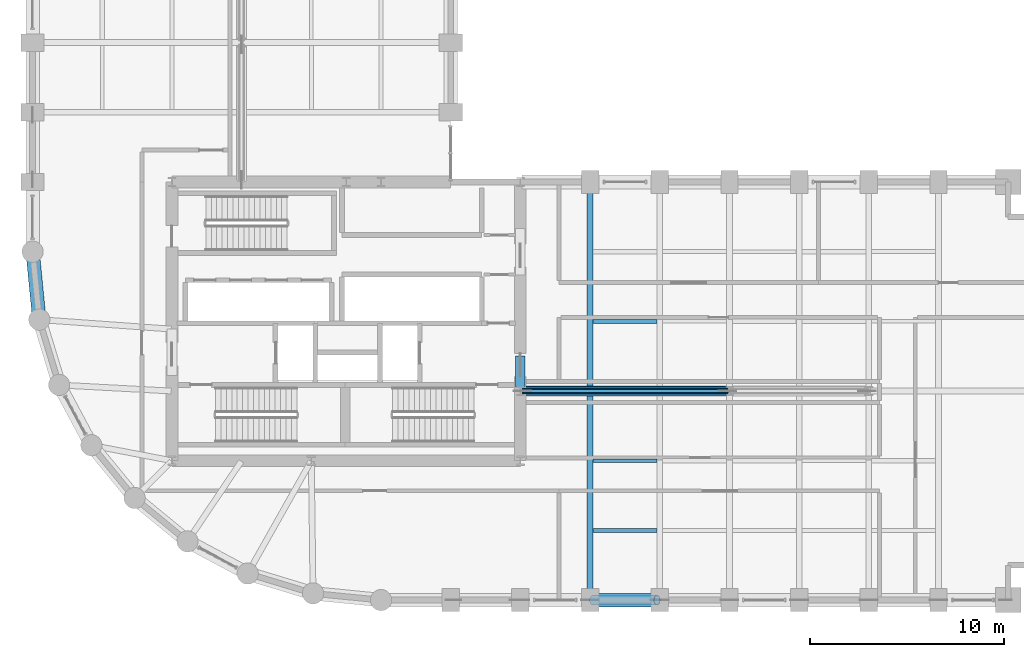
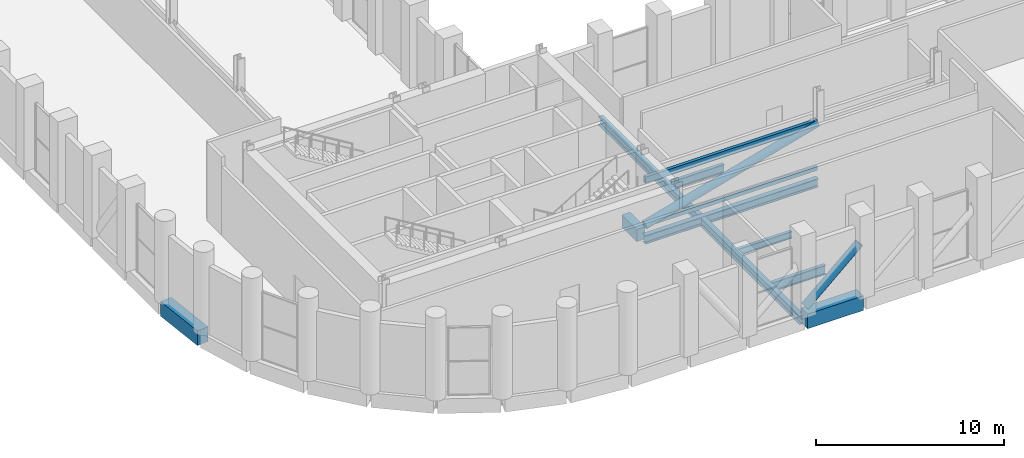
# One storey, part 5 of 27: 8 beams, 4 members.
"""IFC4 building model written with IfcOpenShell, lengths in metres."""

from ifc_helpers import new_model, si_unit, direction, frame, origin, origin_2d, place, context, subcontext, project, spatial, rectangle, hollow_rectangle, hollow_circle, i_section, extrude, material, material_profile, profile_set, type_object, element, save


model = new_model("IFC4")

# Units and contexts
model_context = context("Model", 3, precision=1e-05, world=origin(), true_north=direction((0.0, 1.0)))
body_context = subcontext(model_context, "Body", "Model", "MODEL_VIEW")
ifc_project = project(units=[si_unit("LENGTHUNIT", "METRE"), si_unit("AREAUNIT", "SQUARE_METRE"), si_unit("VOLUMEUNIT", "CUBIC_METRE"), si_unit("PLANEANGLEUNIT", "RADIAN"), si_unit("MASSUNIT", "GRAM", prefix="KILO")], contexts=[model_context])

# Site, building, storey
site_placement = place(None, origin())
site = spatial("IfcSite", under=ifc_project, at=site_placement, CompositionType="ELEMENT")
building_placement = place(site_placement, origin())
building = spatial("IfcBuilding", under=site, at=building_placement, Name="Solnavia Interchange Tower", CompositionType="ELEMENT")
storey_placement = place(building_placement, frame((0.0, 0.0, 74.699951171875)))
storey = spatial("IfcBuildingStorey", under=building, at=storey_placement, Name="L18", CompositionType="ELEMENT", Elevation=74.699951171875)

# Beams
ifc_material_1 = material(Name="Concrete C50/60", Category="concrete")
ifc_material_profile_1 = material_profile(ifc_material_1, rectangle(XDim=0.5, YDim=0.800048828125, at=origin_2d()), Name="RC 500x800")
ifc_profile_set_1 = profile_set([ifc_material_profile_1], Name="Concrete C50/60")
beam_type_1 = type_object("IfcBeamType", Name="Beam-Coupling-RC500x800", PredefinedType="LINTEL", material=ifc_profile_set_1)
beam_1_placement = place(storey_placement, frame((32.39990234375, 14.60009765625, -0.39990234375), z_axis=(0.0, 1.0, 0.0), x_axis=(-1.0, 0.0, 0.0)))
element("IfcBeam", 1, at=beam_1_placement, inside=storey, type_object=beam_type_1, Name="CPB-L18-E1 Core coupling lintel beam", PredefinedType="LINTEL", context=body_context, shape_type="SweptSolid", body=[
    extrude(rectangle(XDim=0.5, YDim=0.800048828125, at=origin_2d()), origin(), (0.0, 0.0, 1.0), 1.599853515625),
])
ifc_material_2 = material(Name="Steel S460", Category="steel")
ifc_material_profile_2 = material_profile(ifc_material_2, i_section(OverallWidth=0.300048828125, OverallDepth=0.550048828125, WebThickness=0.014892578125, FlangeThickness=0.029052734375, FilletRadius=0.027099609375, at=origin_2d()), Name="HEB 550")
ifc_profile_set_2 = profile_set([ifc_material_profile_2], Name="Steel S460")
beam_type_2 = type_object("IfcBeamType", Name="Beam-Girder-HEB550", PredefinedType="BEAM", material=ifc_profile_set_2)
beam_2_placement = place(storey_placement, frame((32.47998046875, 14.39990234375, -0.594970703125), z_axis=(1.0, 0.0, 0.0), x_axis=(0.0, 1.0, 0.0)))
element("IfcBeam", 2, at=beam_2_placement, inside=storey, type_object=beam_type_2, Name="GRD-L18-ES01 East wing spine girder", PredefinedType="BEAM", context=body_context, shape_type="SweptSolid", body=[
    extrude(i_section(OverallWidth=0.300048828125, OverallDepth=0.550048828125, WebThickness=0.014892578125, FlangeThickness=0.029052734375, FilletRadius=0.027099609375, at=origin_2d()), origin(), (0.0, 0.0, 1.0), 10.64013671875),
])
beam_3_placement = place(storey_placement, frame((36.0, 3.679931640625, -0.594970703125), z_axis=(0.0, 1.0, 0.0), x_axis=(-1.0, 0.0, 0.0)))
element("IfcBeam", 3, at=beam_3_placement, inside=storey, type_object=beam_type_2, Name="GRD-L18-EW04 East wing primary floor girder", PredefinedType="BEAM", context=body_context, shape_type="SweptSolid", body=[
    extrude(i_section(OverallWidth=0.300048828125, OverallDepth=0.550048828125, WebThickness=0.014892578125, FlangeThickness=0.029052734375, FilletRadius=0.027099609375, at=origin_2d()), origin(), (0.0, 0.0, 1.0), 21.440185546875),
])
ifc_material_3 = material(Name="Steel S355", Category="steel")
ifc_material_profile_3 = material_profile(ifc_material_3, i_section(OverallWidth=0.18994140625, OverallDepth=0.449951171875, WebThickness=0.009521484375, FlangeThickness=0.0146484375, FilletRadius=0.02099609375, at=origin_2d()), Name="IPE 450")
ifc_profile_set_3 = profile_set([ifc_material_profile_3], Name="Steel S355")
beam_type_3 = type_object("IfcBeamType", Name="Beam-Joist-IPE450", PredefinedType="JOIST", material=ifc_profile_set_3)
beam_4_placement = place(storey_placement, frame((36.14990234375, 10.800048828125, -0.544921875), z_axis=(1.0, 0.0, 0.0), x_axis=(0.0, 1.0, 0.0)))
element("IfcBeam", 4, at=beam_4_placement, inside=storey, type_object=beam_type_3, Name="JST-L18-E06 East wing secondary joist", PredefinedType="JOIST", context=body_context, shape_type="SweptSolid", body=[
    extrude(i_section(OverallWidth=0.18994140625, OverallDepth=0.449951171875, WebThickness=0.009521484375, FlangeThickness=0.0146484375, FilletRadius=0.02099609375, at=origin_2d()), origin(), (0.0, 0.0, 1.0), 3.300048828125),
])
ifc_material_profile_4 = material_profile(ifc_material_3, i_section(OverallWidth=0.2099609375, OverallDepth=0.550048828125, WebThickness=0.010986328125, FlangeThickness=0.01708984375, FilletRadius=0.02392578125, at=origin_2d()), Name="IPE 550")
ifc_profile_set_4 = profile_set([ifc_material_profile_4], Name="Steel S355")
beam_type_4 = type_object("IfcBeamType", Name="Beam-Joist-IPE550", PredefinedType="JOIST", material=ifc_profile_set_4)
beam_5_placement = place(storey_placement, frame((36.14990234375, 18.0, -0.594970703125), z_axis=(1.0, 0.0, 0.0), x_axis=(0.0, 1.0, 0.0)))
element("IfcBeam", 5, at=beam_5_placement, inside=storey, type_object=beam_type_4, Name="JST-L18-E11 East wing secondary joist", PredefinedType="JOIST", context=body_context, shape_type="SweptSolid", body=[
    extrude(i_section(OverallWidth=0.2099609375, OverallDepth=0.550048828125, WebThickness=0.010986328125, FlangeThickness=0.01708984375, FilletRadius=0.02392578125, at=origin_2d()), origin(), (0.0, 0.0, 1.0), 3.300048828125),
])
ifc_material_profile_5 = material_profile(ifc_material_3, i_section(OverallWidth=0.219970703125, OverallDepth=0.60009765625, WebThickness=0.011962890625, FlangeThickness=0.01904296875, FilletRadius=0.02392578125, at=origin_2d()), Name="IPE 600")
ifc_profile_set_5 = profile_set([ifc_material_profile_5], Name="Steel S355")
beam_type_5 = type_object("IfcBeamType", Name="Beam-Joist-IPE600", PredefinedType="JOIST", material=ifc_profile_set_5)
beam_6_placement = place(storey_placement, frame((36.14990234375, 7.199951171875, -0.619873046875), z_axis=(1.0, 0.0, 0.0), x_axis=(0.0, 1.0, 0.0)))
element("IfcBeam", 6, at=beam_6_placement, inside=storey, type_object=beam_type_5, Name="JST-L18-E01 East wing secondary joist", PredefinedType="JOIST", context=body_context, shape_type="SweptSolid", body=[
    extrude(i_section(OverallWidth=0.219970703125, OverallDepth=0.60009765625, WebThickness=0.011962890625, FlangeThickness=0.01904296875, FilletRadius=0.02392578125, at=origin_2d()), origin(), (0.0, 0.0, 1.0), 3.300048828125),
])
ifc_material_profile_6 = material_profile(ifc_material_1, rectangle(XDim=0.699951171875, YDim=0.949951171875, at=origin_2d()), Name="RC 700x950")
ifc_profile_set_6 = profile_set([ifc_material_profile_6], Name="Concrete C50/60")
beam_type_6 = type_object("IfcBeamType", Name="Beam-Spandrel-RC700x950", PredefinedType="SPANDREL", material=ifc_profile_set_6)
beam_7_placement = place(storey_placement, frame((7.207763671875, 21.5205078125, -0.474853515625), z_axis=(0.098040038117, -0.995182471171, 0.0), x_axis=(0.995182471171, 0.098040038117, 0.0)))
element("IfcBeam", 7, at=beam_7_placement, inside=storey, type_object=beam_type_6, Name="SPB-L18-01 Framed-tube perimeter spandrel beam", PredefinedType="SPANDREL", context=body_context, shape_type="SweptSolid", body=[
    extrude(rectangle(XDim=0.699951171875, YDim=0.949951171875, at=origin_2d()), origin(), (0.0, 0.0, 1.0), 3.369140625),
])
beam_8_placement = place(storey_placement, frame((36.080078125, 3.60009765625, -0.474853515625), z_axis=(1.0, 0.0, 0.0), x_axis=(0.0, 1.0, 0.0)))
element("IfcBeam", 8, at=beam_8_placement, inside=storey, type_object=beam_type_6, Name="SPB-L18-12 Framed-tube perimeter spandrel beam", PredefinedType="SPANDREL", context=body_context, shape_type="SweptSolid", body=[
    extrude(rectangle(XDim=0.699951171875, YDim=0.949951171875, at=origin_2d()), origin(), (0.0, 0.0, 1.0), 3.43994140625),
])

# Members
ifc_material_profile_7 = material_profile(ifc_material_3, hollow_rectangle(XDim=0.14990234375, YDim=0.25, WallThickness=0.010009765625, at=origin_2d()), Name="RHS 250x150x10")
ifc_profile_set_7 = profile_set([ifc_material_profile_7], Name="Steel S355")
member_type_1 = type_object("IfcMemberType", Name="Outrigger-Chord-RHS250", PredefinedType="CHORD", material=ifc_profile_set_7)
member_1_placement = place(storey_placement, frame((32.5, 14.39990234375, 0.300048828125), z_axis=(1.0, 0.0, 0.0), x_axis=(0.0, 1.0, 0.0)))
element("IfcMember", 9, at=member_1_placement, inside=storey, type_object=member_type_1, Name="OTR-L18-BC01 Outrigger bottom chord", PredefinedType="CHORD", context=body_context, shape_type="SweptSolid", body=[
    extrude(hollow_rectangle(XDim=0.14990234375, YDim=0.25, WallThickness=0.010009765625, at=origin_2d()), origin(), (0.0, 0.0, 1.0), 10.60009765625),
])
ifc_material_profile_8 = material_profile(ifc_material_2, hollow_rectangle(XDim=0.199951171875, YDim=0.39990234375, WallThickness=0.01611328125, at=origin_2d()), Name="RHS 400x200x16")
ifc_profile_set_8 = profile_set([ifc_material_profile_8], Name="Steel S460")
member_type_2 = type_object("IfcMemberType", Name="Outrigger-Chord-RHS400", PredefinedType="CHORD", material=ifc_profile_set_8)
member_2_placement = place(storey_placement, frame((32.5, 14.39990234375, 3.25), z_axis=(1.0, 0.0, 0.0), x_axis=(0.0, 1.0, 0.0)))
element("IfcMember", 10, at=member_2_placement, inside=storey, type_object=member_type_2, Name="OTR-L18-TC01 Outrigger top chord", PredefinedType="CHORD", context=body_context, shape_type="SweptSolid", body=[
    extrude(hollow_rectangle(XDim=0.199951171875, YDim=0.39990234375, WallThickness=0.01611328125, at=origin_2d()), origin(), (0.0, 0.0, 1.0), 10.60009765625),
])
ifc_material_profile_9 = material_profile(ifc_material_2, hollow_circle(Radius=0.25390625, WallThickness=0.02490234375, at=origin_2d()), Name="CHS 508x25")
ifc_profile_set_9 = profile_set([ifc_material_profile_9], Name="Steel S460")
member_type_3 = type_object("IfcMemberType", Name="Outrigger-Diag-CHS508", PredefinedType="BRACE", material=ifc_profile_set_9)
member_3_placement = place(storey_placement, frame((32.5, 14.39990234375, 0.300048828125), z_axis=(0.963389371219, 0.0, 0.26810617192), x_axis=(0.0, 1.0, 0.0)))
element("IfcMember", 11, at=member_3_placement, inside=storey, type_object=member_type_3, Name="OTR-L18-DG01 Outrigger truss diagonal", PredefinedType="BRACE", context=body_context, shape_type="SweptSolid", body=[
    extrude(hollow_circle(Radius=0.25390625, WallThickness=0.02490234375, at=origin_2d()), origin(), (0.0, 0.0, 1.0), 11.0029296875),
])
member_4_placement = place(storey_placement, frame((36.139892578125, 3.60009765625, 0.300048828125), z_axis=(0.747545781752, 0.0, 0.664210286118), x_axis=(0.0, 1.0, 0.0)))
element("IfcMember", 12, at=member_4_placement, inside=storey, type_object=member_type_3, Name="OTR-L18-BT02 Belt truss diagonal", PredefinedType="BRACE", context=body_context, shape_type="SweptSolid", body=[
    extrude(hollow_circle(Radius=0.25390625, WallThickness=0.02490234375, at=origin_2d()), origin(), (0.0, 0.0, 1.0), 4.44140625),
])

save(model, "model.ifc")
